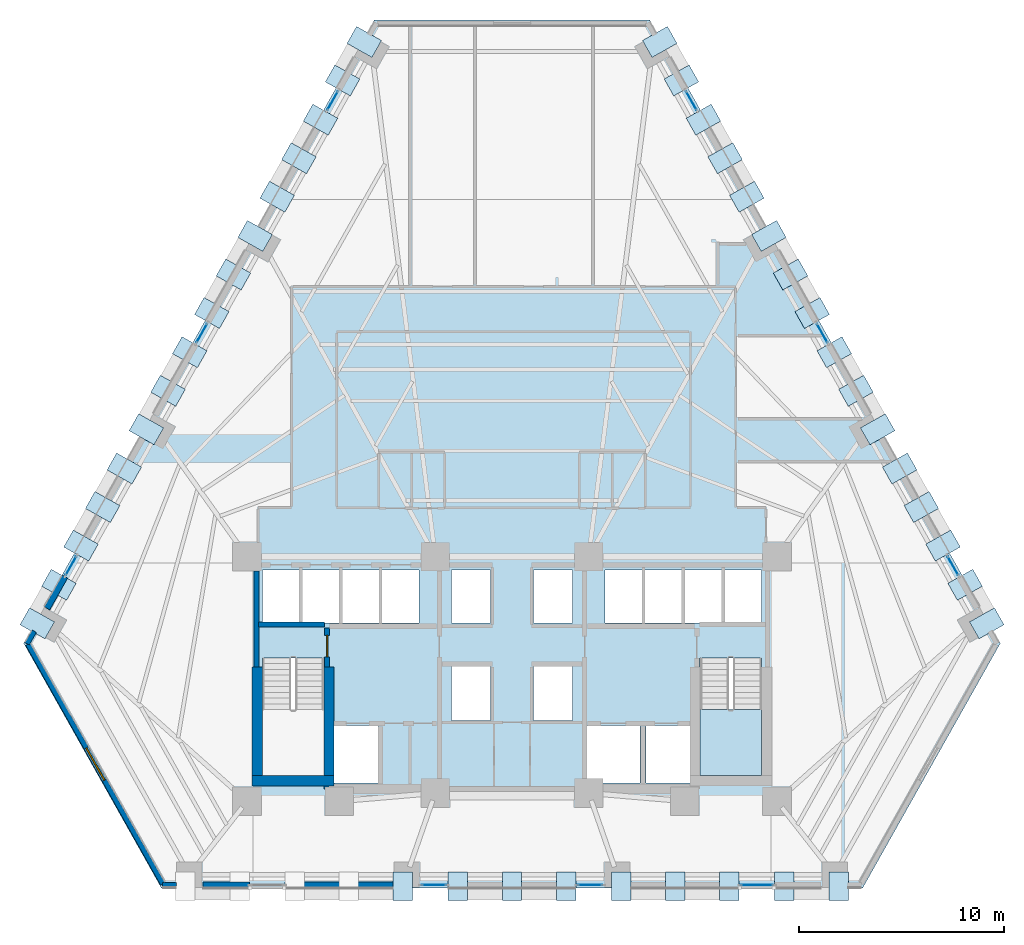
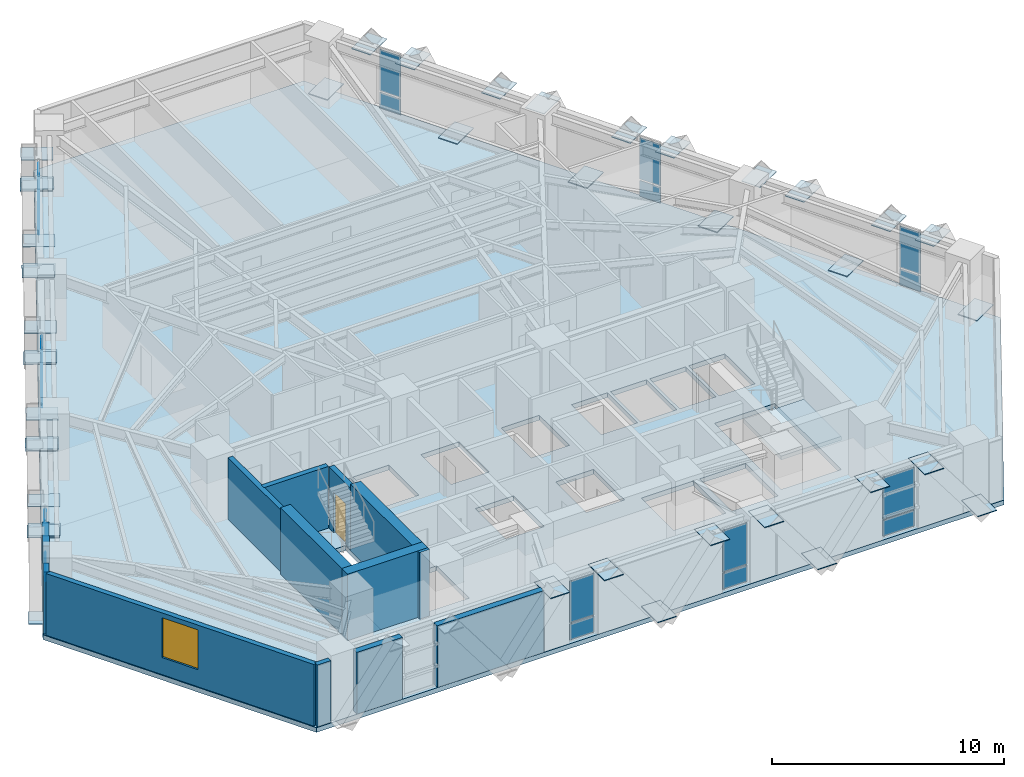
# One storey, part 6 of 13: 59 plates, 12 walls, 2 slabs, 1 door, 1 window, 2 openings, 10 elements without a shape of their own.
"""IFC4 building model written with IfcOpenShell, lengths in metres."""

import ifcopenshell
import ifcopenshell.guid

model = None  # the IFC model being written
_history = None  # IfcOwnerHistory: only IFC2X3 demands one
_inside = {}  # id of a spatial element -> (the spatial element, [elements in it])
_under = {}  # id of a project, library or spatial element -> (it, [spatial elements below it])
_declared = {}  # id of a project -> (the project, [libraries it declares])
_typed = {}  # id of a type object -> (the type object, [elements of that type])
_made_of = {}  # id of a material, layer set ... -> (it, [elements and type objects made of it])


def new_model(schema):
    """Start an empty IFC model of exactly this schema.

    Asked for "IFC4X3", IfcOpenShell would pick the latest addendum, in which some entities
    have other attributes; the version numbers below select the first issue.
    IFC2X3 requires an IfcOwnerHistory on every rooted entity: one is made here for all.
    """
    global model, _history
    if schema == "IFC4X3":
        model = ifcopenshell.file(schema_version=(4, 3, 0, 0))
    else:
        model = ifcopenshell.file(schema=schema)
    _inside.clear()
    _under.clear()
    _declared.clear()
    _typed.clear()
    _made_of.clear()
    _history = None
    if model.schema == "IFC2X3":
        org = make("IfcOrganization", Name="unknown")
        user = make(
            "IfcPersonAndOrganization",
            ThePerson=make("IfcPerson", FamilyName="unknown"),
            TheOrganization=org,
        )
        app = make(
            "IfcApplication",
            ApplicationDeveloper=org,
            Version="unknown",
            ApplicationFullName="unknown",
            ApplicationIdentifier="unknown",
        )
        _history = make(
            "IfcOwnerHistory",
            OwningUser=user,
            OwningApplication=app,
            ChangeAction="ADDED",
            CreationDate=0,
        )
    return model


def make(cls, **values):
    """One entity of the class cls with the attributes given. An attribute that is None is left unset."""
    return model.create_entity(
        cls, **{name: value for name, value in values.items() if value is not None}
    )


def rooted(cls, **values):
    """An entity with a GlobalId (a new one), such as an element, a storey or a relation."""
    return make(cls, GlobalId=ifcopenshell.guid.new(), OwnerHistory=_history, **values)


def si_unit(unit_type, name, prefix=None):
    """IfcSIUnit, for example si_unit("LENGTHUNIT", "METRE", prefix="MILLI")."""
    return make("IfcSIUnit", UnitType=unit_type, Prefix=prefix, Name=name)


def assignment(units):
    """IfcUnitAssignment: the units of a project."""
    return None if units is None else make("IfcUnitAssignment", Units=units)


def point(xyz):
    """IfcCartesianPoint."""
    return None if xyz is None else make("IfcCartesianPoint", Coordinates=xyz)


def direction(xyz):
    """IfcDirection."""
    return None if xyz is None else make("IfcDirection", DirectionRatios=xyz)


def frame(location, z_axis=None, x_axis=None):
    """IfcAxis2Placement3D, a coordinate frame: its origin and axes. An axis left out is left unset."""
    return make(
        "IfcAxis2Placement3D",
        Location=point(location),
        Axis=direction(z_axis),
        RefDirection=direction(x_axis),
    )


def frame_2d(location, x_axis=None):
    """IfcAxis2Placement2D, a coordinate frame in the plane: its origin and x axis."""
    return make(
        "IfcAxis2Placement2D", Location=point(location), RefDirection=direction(x_axis)
    )


def origin():
    """The frame at (0, 0, 0) with its axes left unset."""
    return frame((0.0, 0.0, 0.0))


def origin_2d():
    """The frame at (0, 0) in the plane with its x axis left unset."""
    return frame_2d((0.0, 0.0))


def place(relative_to, where):
    """IfcLocalPlacement: puts the frame where relative to a parent placement (None: the world)."""
    return make(
        "IfcLocalPlacement", PlacementRelTo=relative_to, RelativePlacement=where
    )


def context(
    kind, dimensions, precision=None, world=None, true_north=None, identifier=None
):
    """IfcGeometricRepresentationContext, for example the 3D "Model" context."""
    return make(
        "IfcGeometricRepresentationContext",
        ContextIdentifier=identifier,
        ContextType=kind,
        CoordinateSpaceDimension=dimensions,
        Precision=precision,
        WorldCoordinateSystem=world,
        TrueNorth=true_north,
    )


def subcontext(parent, identifier, kind, view, scale=None):
    """IfcGeometricRepresentationSubContext, for example "Body" below "Model"."""
    return make(
        "IfcGeometricRepresentationSubContext",
        ContextIdentifier=identifier,
        ContextType=kind,
        ParentContext=parent,
        TargetScale=scale,
        TargetView=view,
    )


def project(units=None, contexts=None):
    """IfcProject with its units and contexts."""
    return rooted(
        "IfcProject",
        Name="project",
        RepresentationContexts=contexts,
        UnitsInContext=assignment(units),
    )


def spatial(cls, under=None, at=None, **own):
    """A site, building, storey or space (cls), placed at a placement, below another one or the project."""
    s = rooted(cls, ObjectPlacement=at, **own)
    if under is not None:
        _under.setdefault(under.id(), (under, []))[1].append(s)
    return s


def polyline(points):
    """IfcPolyline through the points."""
    return make("IfcPolyline", Points=[point(p) for p in points])


def profile(cls, at=None, kind="AREA", **sizes):
    """A parametric profile (cls). Its sizes go by their IFC names, for example OverallWidth=200.0."""
    return make(cls, ProfileType=kind, Position=at, **sizes)


def rectangle(**sizes):
    """IfcRectangleProfileDef."""
    return profile("IfcRectangleProfileDef", **sizes)


def outline(outer, holes=None, kind="AREA"):
    """IfcArbitraryClosedProfileDef: a profile drawn as a closed curve; with holes, ...WithVoids."""
    if holes is None:
        return make("IfcArbitraryClosedProfileDef", ProfileType=kind, OuterCurve=outer)
    return make(
        "IfcArbitraryProfileDefWithVoids",
        ProfileType=kind,
        OuterCurve=outer,
        InnerCurves=holes,
    )


def extrude(swept, where, along, depth):
    """IfcExtrudedAreaSolid: the profile swept, set in the frame where, extruded along a direction by depth."""
    return make(
        "IfcExtrudedAreaSolid",
        SweptArea=swept,
        Position=where,
        ExtrudedDirection=direction(along),
        Depth=depth,
    )


def shape(context_of_items, identifier, shape_type, items):
    """IfcShapeRepresentation: the items that make up one representation, for example the "Body"."""
    return make(
        "IfcShapeRepresentation",
        ContextOfItems=context_of_items,
        RepresentationIdentifier=identifier,
        RepresentationType=shape_type,
        Items=items,
    )


def material(Name=None, Category=None):
    """IfcMaterial."""
    return make("IfcMaterial", Name=Name, Category=Category)


def layer(
    of_material, thickness, ventilated=None, Name=None, Category=None, Priority=None
):
    """IfcMaterialLayer: one layer of a wall or slab, of a material (None: an air gap)."""
    return make(
        "IfcMaterialLayer",
        Material=of_material,
        LayerThickness=thickness,
        IsVentilated=ventilated,
        Name=Name,
        Category=Category,
        Priority=Priority,
    )


def layer_set(layers, Name=None):
    """IfcMaterialLayerSet."""
    return make("IfcMaterialLayerSet", MaterialLayers=layers, LayerSetName=Name)


def made_of(thing, what):
    """Note that an element or type object is made of a material, layer set ...; save() writes the relation."""
    if what is not None:
        _made_of.setdefault(what.id(), (what, []))[1].append(thing)
    return thing


def type_object(cls, material=None, **own):
    """A type object (cls), such as IfcWallType, which elements share."""
    return made_of(rooted(cls, **own), material)


def element(
    cls,
    number,
    at=None,
    inside=None,
    cuts=None,
    type_object=None,
    material=None,
    context=None,
    identifier="Body",
    shape_type=None,
    held_by="IfcProductDefinitionShape",
    body=None,
    shapes=None,
    **own,
):
    """One element of the class cls, such as IfcWall. Its Tag is "e" and its number.

    at: its placement. inside: the storey or other place that contains it. cuts: it is an
    opening in that element (IfcRelVoidsElement). A single representation is given by context,
    identifier, shape_type and body (its items); several are given by shapes. held_by: the class
    of the entity that holds the representations. save() writes the other relations.
    """
    e = rooted(cls, Tag="e%d" % number, ObjectPlacement=at, **own)
    if body is not None:
        shapes = [shape(context, identifier, shape_type, body)]
    if shapes is not None:
        e.Representation = make(held_by, Representations=shapes)
    if inside is not None:
        _inside.setdefault(inside.id(), (inside, []))[1].append(e)
    if cuts is not None:
        rooted(
            "IfcRelVoidsElement", RelatingBuildingElement=cuts, RelatedOpeningElement=e
        )
    if type_object is not None:
        _typed.setdefault(type_object.id(), (type_object, []))[1].append(e)
    return made_of(e, material)


def fill(opening, filler):
    """IfcRelFillsElement: the door or window that sits in an opening."""
    return rooted(
        "IfcRelFillsElement",
        RelatingOpeningElement=opening,
        RelatedBuildingElement=filler,
    )


def aggregate(whole, parts):
    """IfcRelAggregates: a whole, such as a stair, and the parts it consists of."""
    return rooted("IfcRelAggregates", RelatingObject=whole, RelatedObjects=parts)


def save(model, path):
    """Write the relations noted so far, then the file.

    IfcRelAggregates (storeys below a building ...), IfcRelContainedInSpatialStructure (elements
    in a storey), IfcRelDefinesByType, IfcRelAssociatesMaterial and IfcRelDeclares: one each for
    every whole, place, type object, material and project.
    """
    for whole, parts in _under.values():
        aggregate(whole, parts)
    for where, things in _inside.values():
        rooted(
            "IfcRelContainedInSpatialStructure",
            RelatedElements=things,
            RelatingStructure=where,
        )
    for kind, things in _typed.values():
        rooted("IfcRelDefinesByType", RelatedObjects=things, RelatingType=kind)
    for what, things in _made_of.values():
        rooted("IfcRelAssociatesMaterial", RelatedObjects=things, RelatingMaterial=what)
    for by, libraries in _declared.values():
        rooted("IfcRelDeclares", RelatingContext=by, RelatedDefinitions=libraries)
    model.write(path)


model = new_model("IFC4")

# Units and contexts
model_context = context("Model", 3, precision=1e-05, world=origin(), true_north=direction((0.0, 1.0)))
body_context = subcontext(model_context, "Body", "Model", "MODEL_VIEW")
ifc_project = project(units=[si_unit("LENGTHUNIT", "METRE"), si_unit("AREAUNIT", "SQUARE_METRE"), si_unit("VOLUMEUNIT", "CUBIC_METRE"), si_unit("PLANEANGLEUNIT", "RADIAN"), si_unit("MASSUNIT", "GRAM", prefix="KILO")], contexts=[model_context])

# Site, building, storey
site_placement = place(None, origin())
site = spatial("IfcSite", under=ifc_project, at=site_placement, CompositionType="ELEMENT")
building_placement = place(site_placement, origin())
building = spatial("IfcBuilding", under=site, at=building_placement, Name="Quenlor Broadcast Tower", CompositionType="ELEMENT")
storey_placement = place(building_placement, frame((0.0, 0.0, 38.10009765625)))
storey = spatial("IfcBuildingStorey", under=building, at=storey_placement, Name="L09", CompositionType="ELEMENT", Elevation=38.10009765625)

# Curtain wall, plates
ifc_material_1 = material(Name="Architectural Terracotta and Low-E Glazing", Category="masonry")
curtain_wall_type = type_object("IfcCurtainWallType", Name="Unitised Terracotta Curtain Wall System Z1", PredefinedType="NOTDEFINED", material=ifc_material_1)
curtain_wall_1_placement = place(storey_placement, origin())
curtain_wall_1 = element("IfcCurtainWall", 1, at=curtain_wall_1_placement, inside=storey, type_object=curtain_wall_type, Name="L09 Curtain Wall CW1 (L09-SA-G1)", PredefinedType="NOTDEFINED")
ifc_material_2 = material(Name="Double Glazed Low-E Solar Glass", Category="glass")
ifc_layer_1 = layer(ifc_material_2, 0.031982421875)
ifc_layer_set_1 = layer_set([ifc_layer_1], Name="CW1 Double Glazed Vision Panel 32")
plate_type_1 = type_object("IfcPlateType", Name="CW1 Double Glazed Vision Panel 32", PredefinedType="CURTAIN_PANEL", material=ifc_layer_set_1)
plate_1_placement = place(storey_placement, frame((11.970703125, -20.840087890625, 0.079833984375), z_axis=(0.0, 0.0, 1.0), x_axis=(-1.0, 0.0, 0.0)))
plate_1 = element("IfcPlate", 2, at=plate_1_placement, type_object=plate_type_1, Name="CW1 panel 1.1", PredefinedType="CURTAIN_PANEL", context=body_context, shape_type="SweptSolid", body=[
    extrude(rectangle(XDim=1.568359375, YDim=0.031982421875, at=origin_2d()), origin(), (0.0, 0.0, 1.0), 0.830078125),
])
plate_2_placement = place(storey_placement, frame((11.970703125, -20.840087890625, 0.98974609375), z_axis=(0.0, 0.0, 1.0), x_axis=(-1.0, 0.0, 0.0)))
plate_2 = element("IfcPlate", 3, at=plate_2_placement, type_object=plate_type_1, Name="CW1 panel 1.2", PredefinedType="CURTAIN_PANEL", context=body_context, shape_type="SweptSolid", body=[
    extrude(rectangle(XDim=1.568359375, YDim=0.031982421875, at=origin_2d()), origin(), (0.0, 0.0, 1.0), 2.179931640625),
])
aggregate(curtain_wall_1, [plate_1, plate_2])

curtain_wall_2_placement = place(storey_placement, origin())
curtain_wall_2 = element("IfcCurtainWall", 4, at=curtain_wall_2_placement, inside=storey, type_object=curtain_wall_type, Name="L09 Curtain Wall CW1 (L09-S-G1)", PredefinedType="NOTDEFINED")
plate_3_placement = place(storey_placement, frame((3.81103515625, -20.840087890625, 0.079833984375), z_axis=(0.0, 0.0, 1.0), x_axis=(-1.0, 0.0, 0.0)))
plate_3 = element("IfcPlate", 5, at=plate_3_placement, type_object=plate_type_1, Name="CW1 panel 1.1", PredefinedType="CURTAIN_PANEL", context=body_context, shape_type="SweptSolid", body=[
    extrude(rectangle(XDim=1.209716796875, YDim=0.031982421875, at=origin_2d()), origin(), (0.0, 0.0, 1.0), 0.830078125),
])
plate_4_placement = place(storey_placement, frame((3.81103515625, -20.840087890625, 0.98974609375), z_axis=(0.0, 0.0, 1.0), x_axis=(-1.0, 0.0, 0.0)))
plate_4 = element("IfcPlate", 6, at=plate_4_placement, type_object=plate_type_1, Name="CW1 panel 1.2", PredefinedType="CURTAIN_PANEL", context=body_context, shape_type="SweptSolid", body=[
    extrude(rectangle(XDim=1.209716796875, YDim=0.031982421875, at=origin_2d()), origin(), (0.0, 0.0, 1.0), 2.179931640625),
])
aggregate(curtain_wall_2, [plate_3, plate_4])

curtain_wall_3_placement = place(storey_placement, origin())
curtain_wall_3 = element("IfcCurtainWall", 7, at=curtain_wall_3_placement, inside=storey, type_object=curtain_wall_type, Name="L09 Curtain Wall CW1 (L09-S-G2)", PredefinedType="NOTDEFINED")
plate_5_placement = place(storey_placement, frame((-3.81103515625, -20.840087890625, 0.079833984375), z_axis=(0.0, 0.0, 1.0), x_axis=(-1.0, 0.0, 0.0)))
plate_5 = element("IfcPlate", 8, at=plate_5_placement, type_object=plate_type_1, Name="CW1 panel 1.1", PredefinedType="CURTAIN_PANEL", context=body_context, shape_type="SweptSolid", body=[
    extrude(rectangle(XDim=1.209716796875, YDim=0.031982421875, at=origin_2d()), origin(), (0.0, 0.0, 1.0), 0.830078125),
])
plate_6_placement = place(storey_placement, frame((-3.81103515625, -20.840087890625, 0.98974609375), z_axis=(0.0, 0.0, 1.0), x_axis=(-1.0, 0.0, 0.0)))
plate_6 = element("IfcPlate", 9, at=plate_6_placement, type_object=plate_type_1, Name="CW1 panel 1.2", PredefinedType="CURTAIN_PANEL", context=body_context, shape_type="SweptSolid", body=[
    extrude(rectangle(XDim=1.209716796875, YDim=0.031982421875, at=origin_2d()), origin(), (0.0, 0.0, 1.0), 2.179931640625),
])
aggregate(curtain_wall_3, [plate_5, plate_6])

curtain_wall_4_placement = place(storey_placement, origin())
curtain_wall_4 = element("IfcCurtainWall", 10, at=curtain_wall_4_placement, inside=storey, type_object=curtain_wall_type, Name="L09 Curtain Wall CW1 (L09-NEA-G1)", PredefinedType="NOTDEFINED")
plate_7_placement = place(storey_placement, frame((8.766845703125, 17.48779296875, 0.079833984375), z_axis=(0.0, 0.0, 1.0), x_axis=(0.490276943553, -0.871566703483, 0.0)))
plate_7 = element("IfcPlate", 11, at=plate_7_placement, type_object=plate_type_1, Name="CW1 panel 1.1", PredefinedType="CURTAIN_PANEL", context=body_context, shape_type="SweptSolid", body=[
    extrude(rectangle(XDim=1.04931640625, YDim=0.031982421875, at=origin_2d()), origin(), (0.0, 0.0, 1.0), 0.830078125),
])
plate_8_placement = place(storey_placement, frame((8.766845703125, 17.48779296875, 0.98974609375), z_axis=(0.0, 0.0, 1.0), x_axis=(0.490276943553, -0.871566703483, 0.0)))
plate_8 = element("IfcPlate", 12, at=plate_8_placement, type_object=plate_type_1, Name="CW1 panel 1.2", PredefinedType="CURTAIN_PANEL", context=body_context, shape_type="SweptSolid", body=[
    extrude(rectangle(XDim=1.04931640625, YDim=0.031982421875, at=origin_2d()), origin(), (0.0, 0.0, 1.0), 2.179931640625),
])
aggregate(curtain_wall_4, [plate_7, plate_8])

curtain_wall_5_placement = place(storey_placement, origin())
curtain_wall_5 = element("IfcCurtainWall", 13, at=curtain_wall_5_placement, inside=storey, type_object=curtain_wall_type, Name="L09 Curtain Wall CW1 (L09-NEC-G1)", PredefinedType="NOTDEFINED")
plate_9_placement = place(storey_placement, frame((21.553955078125, -5.24462890625, 0.079833984375), z_axis=(0.0, 0.0, 1.0), x_axis=(0.490276943553, -0.871566703483, 0.0)))
plate_9 = element("IfcPlate", 14, at=plate_9_placement, type_object=plate_type_1, Name="CW1 panel 1.1", PredefinedType="CURTAIN_PANEL", context=body_context, shape_type="SweptSolid", body=[
    extrude(rectangle(XDim=1.04931640625, YDim=0.031982421875, at=origin_2d()), origin(), (0.0, 0.0, 1.0), 0.830078125),
])
plate_10_placement = place(storey_placement, frame((21.553955078125, -5.24462890625, 0.98974609375), z_axis=(0.0, 0.0, 1.0), x_axis=(0.490276943553, -0.871566703483, 0.0)))
plate_10 = element("IfcPlate", 15, at=plate_10_placement, type_object=plate_type_1, Name="CW1 panel 1.2", PredefinedType="CURTAIN_PANEL", context=body_context, shape_type="SweptSolid", body=[
    extrude(rectangle(XDim=1.04931640625, YDim=0.031982421875, at=origin_2d()), origin(), (0.0, 0.0, 1.0), 2.179931640625),
])
aggregate(curtain_wall_5, [plate_9, plate_10])

curtain_wall_6_placement = place(storey_placement, origin())
curtain_wall_6 = element("IfcCurtainWall", 16, at=curtain_wall_6_placement, inside=storey, type_object=curtain_wall_type, Name="L09 Curtain Wall CW1 (L09-NE-G1)", PredefinedType="NOTDEFINED")
plate_11_placement = place(storey_placement, frame((15.16064453125, 6.12158203125, 0.079833984375), z_axis=(0.0, 0.0, 1.0), x_axis=(0.490276943553, -0.871566703483, 0.0)))
plate_11 = element("IfcPlate", 17, at=plate_11_placement, type_object=plate_type_1, Name="CW1 panel 1.1", PredefinedType="CURTAIN_PANEL", context=body_context, shape_type="SweptSolid", body=[
    extrude(rectangle(XDim=1.04931640625, YDim=0.031982421875, at=origin_2d()), origin(), (0.0, 0.0, 1.0), 0.830078125),
])
plate_12_placement = place(storey_placement, frame((15.16064453125, 6.12158203125, 0.98974609375), z_axis=(0.0, 0.0, 1.0), x_axis=(0.490276943553, -0.871566703483, 0.0)))
plate_12 = element("IfcPlate", 18, at=plate_12_placement, type_object=plate_type_1, Name="CW1 panel 1.2", PredefinedType="CURTAIN_PANEL", context=body_context, shape_type="SweptSolid", body=[
    extrude(rectangle(XDim=1.04931640625, YDim=0.031982421875, at=origin_2d()), origin(), (0.0, 0.0, 1.0), 2.179931640625),
])
aggregate(curtain_wall_6, [plate_11, plate_12])

curtain_wall_7_placement = place(storey_placement, origin())
curtain_wall_7 = element("IfcCurtainWall", 19, at=curtain_wall_7_placement, inside=storey, type_object=curtain_wall_type, Name="L09 Curtain Wall CW1 (L09-NWA-G1)", PredefinedType="NOTDEFINED")
plate_13_placement = place(storey_placement, frame((-21.553955078125, -5.24462890625, 0.079833984375), z_axis=(0.0, 0.0, 1.0), x_axis=(0.490276943553, 0.871566703483, 0.0)))
plate_13 = element("IfcPlate", 20, at=plate_13_placement, type_object=plate_type_1, Name="CW1 panel 1.1", PredefinedType="CURTAIN_PANEL", context=body_context, shape_type="SweptSolid", body=[
    extrude(rectangle(XDim=1.04931640625, YDim=0.031982421875, at=origin_2d()), origin(), (0.0, 0.0, 1.0), 0.830078125),
])
plate_14_placement = place(storey_placement, frame((-21.553955078125, -5.24462890625, 0.98974609375), z_axis=(0.0, 0.0, 1.0), x_axis=(0.490276943553, 0.871566703483, 0.0)))
plate_14 = element("IfcPlate", 21, at=plate_14_placement, type_object=plate_type_1, Name="CW1 panel 1.2", PredefinedType="CURTAIN_PANEL", context=body_context, shape_type="SweptSolid", body=[
    extrude(rectangle(XDim=1.04931640625, YDim=0.031982421875, at=origin_2d()), origin(), (0.0, 0.0, 1.0), 2.179931640625),
])
aggregate(curtain_wall_7, [plate_13, plate_14])

curtain_wall_8_placement = place(storey_placement, origin())
curtain_wall_8 = element("IfcCurtainWall", 22, at=curtain_wall_8_placement, inside=storey, type_object=curtain_wall_type, Name="L09 Curtain Wall CW1 (L09-NWC-G1)", PredefinedType="NOTDEFINED")
plate_15_placement = place(storey_placement, frame((-8.766845703125, 17.48779296875, 0.079833984375), z_axis=(0.0, 0.0, 1.0), x_axis=(0.490276943553, 0.871566703483, 0.0)))
plate_15 = element("IfcPlate", 23, at=plate_15_placement, type_object=plate_type_1, Name="CW1 panel 1.1", PredefinedType="CURTAIN_PANEL", context=body_context, shape_type="SweptSolid", body=[
    extrude(rectangle(XDim=1.04931640625, YDim=0.031982421875, at=origin_2d()), origin(), (0.0, 0.0, 1.0), 0.830078125),
])
plate_16_placement = place(storey_placement, frame((-8.766845703125, 17.48779296875, 0.98974609375), z_axis=(0.0, 0.0, 1.0), x_axis=(0.490276943553, 0.871566703483, 0.0)))
plate_16 = element("IfcPlate", 24, at=plate_16_placement, type_object=plate_type_1, Name="CW1 panel 1.2", PredefinedType="CURTAIN_PANEL", context=body_context, shape_type="SweptSolid", body=[
    extrude(rectangle(XDim=1.04931640625, YDim=0.031982421875, at=origin_2d()), origin(), (0.0, 0.0, 1.0), 2.179931640625),
])
aggregate(curtain_wall_8, [plate_15, plate_16])

curtain_wall_9_placement = place(storey_placement, origin())
curtain_wall_9 = element("IfcCurtainWall", 25, at=curtain_wall_9_placement, inside=storey, type_object=curtain_wall_type, Name="L09 Curtain Wall CW1 (L09-NW-G1)", PredefinedType="NOTDEFINED")
plate_17_placement = place(storey_placement, frame((-15.16064453125, 6.12158203125, 0.079833984375), z_axis=(0.0, 0.0, 1.0), x_axis=(0.490276943553, 0.871566703483, 0.0)))
plate_17 = element("IfcPlate", 26, at=plate_17_placement, type_object=plate_type_1, Name="CW1 panel 1.1", PredefinedType="CURTAIN_PANEL", context=body_context, shape_type="SweptSolid", body=[
    extrude(rectangle(XDim=1.04931640625, YDim=0.031982421875, at=origin_2d()), origin(), (0.0, 0.0, 1.0), 0.830078125),
])
plate_18_placement = place(storey_placement, frame((-15.16064453125, 6.12158203125, 0.98974609375), z_axis=(0.0, 0.0, 1.0), x_axis=(0.490276943553, 0.871566703483, 0.0)))
plate_18 = element("IfcPlate", 27, at=plate_18_placement, type_object=plate_type_1, Name="CW1 panel 1.2", PredefinedType="CURTAIN_PANEL", context=body_context, shape_type="SweptSolid", body=[
    extrude(rectangle(XDim=1.04931640625, YDim=0.031982421875, at=origin_2d()), origin(), (0.0, 0.0, 1.0), 2.179931640625),
])
aggregate(curtain_wall_9, [plate_17, plate_18])

# Stair, slab
ifc_material_3 = material(Name="Precast concrete C40/50", Category="concrete")
stair_type = type_object("IfcStairType", Name="Precast Concrete C40/50 Dogleg Stair H350", PredefinedType="HALF_TURN_STAIR", material=ifc_material_3)
stair_placement = place(storey_placement, origin())
stair = element("IfcStair", 28, at=stair_placement, inside=storey, type_object=stair_type, Name="L09 East Core Fire-Isolated Exit Stair ST-2", PredefinedType="HALF_TURN_STAIR")
ifc_material_4 = material(Name="Precast concrete C40/50", Category="concrete")
ifc_layer_2 = layer(ifc_material_4, 0.199951171875)
ifc_layer_set_2 = layer_set([ifc_layer_2], Name="Precast Concrete C40/50 Stair Landing Slab 200")
slab_type_1 = type_object("IfcSlabType", Name="Precast Concrete C40/50 Stair Landing Slab 200", PredefinedType="LANDING", material=ifc_layer_set_2)
slab_1_placement = place(storey_placement, frame((0.0, 0.0, 1.5498046875)))
slab_1 = element("IfcSlab", 29, at=slab_1_placement, type_object=slab_type_1, Name="ST-2 landing 1", PredefinedType="LANDING", context=body_context, shape_type="SweptSolid", body=[
    extrude(outline(polyline([(9.199951171875, -12.27001953125), (9.199951171875, -15.5), (12.199951171875, -15.5), (12.199951171875, -12.27001953125), (9.199951171875, -12.27001953125)])), origin(), (0.0, 0.0, 1.0), 0.2001953125),
])
aggregate(stair, [slab_1])

# Slab
ifc_material_5 = material(Name="Concrete C40/50", Category="concrete")
ifc_layer_3 = layer(ifc_material_5, 0.25)
ifc_layer_set_3 = layer_set([ifc_layer_3], Name="Tower Composite Concrete C40/50 Slab 250")
slab_type_2 = type_object("IfcSlabType", Name="Tower Composite Concrete C40/50 Slab 250", PredefinedType="FLOOR", material=ifc_layer_set_3)
slab_2_placement = place(storey_placement, frame((0.0, 0.0, -0.25)))
element("IfcSlab", 30, at=slab_2_placement, inside=storey, type_object=slab_type_2, Name="L09 Structural Floor Slab", PredefinedType="FLOOR", context=body_context, shape_type="SweptSolid", body=[
    extrude(outline(polyline([(17.135986328125, -21.0), (23.867919921875, -9.031982421875), (6.73193359375, 21.431884765625), (-6.73193359375, 21.431884765625), (-23.867919921875, -9.031982421875), (-17.135986328125, -21.0), (17.135986328125, -21.0)]), holes=[polyline([(-12.199951171875, -9.758056640625), (-12.199951171875, -15.5), (-9.199951171875, -15.5), (-9.199951171875, -9.758056640625), (-12.199951171875, -9.758056640625)]), polyline([(9.199951171875, -9.758056640625), (9.199951171875, -15.5), (12.199951171875, -15.5), (12.199951171875, -9.758056640625), (9.199951171875, -9.758056640625)]), polyline([(-12.199951171875, -8.050048828125), (-10.39990234375, -8.050048828125), (-10.39990234375, -5.449951171875), (-12.199951171875, -5.449951171875), (-12.199951171875, -8.050048828125)]), polyline([(-10.25, -8.050048828125), (-8.449951171875, -8.050048828125), (-8.449951171875, -5.449951171875), (-10.25, -5.449951171875), (-10.25, -8.050048828125)]), polyline([(-8.300048828125, -8.050048828125), (-6.5, -8.050048828125), (-6.5, -5.449951171875), (-8.300048828125, -5.449951171875), (-8.300048828125, -8.050048828125)]), polyline([(-6.35009765625, -8.050048828125), (-4.550048828125, -8.050048828125), (-4.550048828125, -5.449951171875), (-6.35009765625, -5.449951171875), (-6.35009765625, -8.050048828125)]), polyline([(-2.949951171875, -8.050048828125), (-1.050048828125, -8.050048828125), (-1.050048828125, -5.449951171875), (-2.949951171875, -5.449951171875), (-2.949951171875, -8.050048828125)]), polyline([(1.050048828125, -8.050048828125), (2.949951171875, -8.050048828125), (2.949951171875, -5.449951171875), (1.050048828125, -5.449951171875), (1.050048828125, -8.050048828125)]), polyline([(-2.949951171875, -12.800048828125), (-1.050048828125, -12.800048828125), (-1.050048828125, -10.14990234375), (-2.949951171875, -10.14990234375), (-2.949951171875, -12.800048828125)]), polyline([(1.050048828125, -12.800048828125), (2.949951171875, -12.800048828125), (2.949951171875, -10.14990234375), (1.050048828125, -10.14990234375), (1.050048828125, -12.800048828125)]), polyline([(4.550048828125, -8.050048828125), (6.35009765625, -8.050048828125), (6.35009765625, -5.449951171875), (4.550048828125, -5.449951171875), (4.550048828125, -8.050048828125)]), polyline([(6.5, -8.050048828125), (8.300048828125, -8.050048828125), (8.300048828125, -5.449951171875), (6.5, -5.449951171875), (6.5, -8.050048828125)]), polyline([(8.449951171875, -8.050048828125), (10.25, -8.050048828125), (10.25, -5.449951171875), (8.449951171875, -5.449951171875), (8.449951171875, -8.050048828125)]), polyline([(10.39990234375, -8.050048828125), (12.199951171875, -8.050048828125), (12.199951171875, -5.449951171875), (10.39990234375, -5.449951171875), (10.39990234375, -8.050048828125)]), polyline([(-8.85009765625, -15.85009765625), (-6.550048828125, -15.85009765625), (-6.550048828125, -13.050048828125), (-8.85009765625, -13.050048828125), (-8.85009765625, -15.85009765625)]), polyline([(6.550048828125, -15.85009765625), (8.85009765625, -15.85009765625), (8.85009765625, -13.050048828125), (6.550048828125, -13.050048828125), (6.550048828125, -15.85009765625)]), polyline([(3.64990234375, -15.85009765625), (6.25, -15.85009765625), (6.25, -13.050048828125), (3.64990234375, -13.050048828125), (3.64990234375, -15.85009765625)])]), origin(), (0.0, 0.0, 1.0), 0.25),
])

# Plates
ifc_material_6 = material(Name="Steel S355", Category="steel")
ifc_layer_4 = layer(ifc_material_6, 0.035888671875)
ifc_layer_set_4 = layer_set([ifc_layer_4], Name="Transfer Truss Steel S355 Gusset Node Plate 1400x950x36")
plate_type_2 = type_object("IfcPlateType", Name="Transfer Truss Steel S355 Gusset Node Plate 1400x950x36", PredefinedType="SHEET", material=ifc_layer_set_4)
for number, where, z_axis, x_axis, name in (
    (31, (15.9609375, -20.89990234375, 0.0419921875), (0.0, 0.0, 1.0), (0.0, -1.0, 0.0), "L09 Lattice Tie Gusset Node S-B0"),
    (32, (13.31689453125, -20.89990234375, 3.18212890625), (0.0, 0.0, 1.0), (0.0, -1.0, 0.0), "L09 Lattice Tie Gusset Node S-T1"),
    (33, (7.98046875, -20.89990234375, 0.0419921875), (0.0, 0.0, 1.0), (0.0, -1.0, 0.0), "L09 Lattice Tie Gusset Node S-B3"),
    (34, (10.624755859375, -20.89990234375, 3.18212890625), (0.0, 0.0, 1.0), (0.0, -1.0, 0.0), "L09 Lattice Tie Gusset Node S-T2"),
    (35, (5.336181640625, -20.89990234375, 3.18212890625), (0.0, 0.0, 1.0), (0.0, -1.0, 0.0), "L09 Lattice Tie Gusset Node S-T4"),
    (36, (0.0, -20.89990234375, 0.0419921875), (0.0, 0.0, 1.0), (0.0, -1.0, 0.0), "L09 Lattice Tie Gusset Node S-B6"),
    (37, (2.644287109375, -20.89990234375, 3.18212890625), (0.0, 0.0, 1.0), (0.0, -1.0, 0.0), "L09 Lattice Tie Gusset Node S-T5"),
    (38, (-2.644287109375, -20.89990234375, 3.18212890625), (0.0, 0.0, 1.0), (0.0, -1.0, 0.0), "L09 Lattice Tie Gusset Node S-T7"),
    (39, (-5.336181640625, -20.89990234375, 3.18212890625), (0.0, 0.0, 1.0), (0.0, -1.0, 0.0), "L09 Lattice Tie Gusset Node S-T8"),
    (40, (7.220947265625, 20.35888671875, 0.0419921875), (0.0, 0.0, 1.0), (0.871556314255, 0.490295412055, 0.0), "L09 Lattice Tie Gusset Node NE-B0"),
    (41, (8.280029296875, 18.475830078125, 3.18212890625), (0.0, 0.0, 1.0), (0.871556314255, 0.490295412055, 0.0), "L09 Lattice Tie Gusset Node NE-T1"),
    (42, (10.41748046875, 14.67578125, 0.0419921875), (0.0, 0.0, 1.0), (0.871556314255, 0.490295412055, 0.0), "L09 Lattice Tie Gusset Node NE-B3"),
    (43, (9.3583984375, 16.558837890625, 3.18212890625), (0.0, 0.0, 1.0), (0.871556314255, 0.490295412055, 0.0), "L09 Lattice Tie Gusset Node NE-T2"),
    (44, (11.476806640625, 12.792724609375, 3.18212890625), (0.0, 0.0, 1.0), (0.871556314255, 0.490295412055, 0.0), "L09 Lattice Tie Gusset Node NE-T4"),
    (45, (13.614501953125, 8.99267578125, 0.0419921875), (0.0, 0.0, 1.0), (0.871556314255, 0.490295412055, 0.0), "L09 Lattice Tie Gusset Node NE-B6"),
    (46, (12.55517578125, 10.87548828125, 3.18212890625), (0.0, 0.0, 1.0), (0.871556314255, 0.490295412055, 0.0), "L09 Lattice Tie Gusset Node NE-T5"),
    (47, (14.673583984375, 7.109619140625, 3.18212890625), (0.0, 0.0, 1.0), (0.871556314255, 0.490295412055, 0.0), "L09 Lattice Tie Gusset Node NE-T7"),
    (48, (16.811279296875, 3.309326171875, 0.0419921875), (0.0, 0.0, 1.0), (0.871556314255, 0.490295412055, 0.0), "L09 Lattice Tie Gusset Node NE-B9"),
    (49, (15.751953125, 5.1923828125, 3.18212890625), (0.0, 0.0, 1.0), (0.871556314255, 0.490295412055, 0.0), "L09 Lattice Tie Gusset Node NE-T8"),
    (50, (17.870361328125, 1.426513671875, 3.18212890625), (0.0, 0.0, 1.0), (0.871556314255, 0.490295412055, 0.0), "L09 Lattice Tie Gusset Node NE-T10"),
    (51, (20.008056640625, -2.373779296875, 0.0419921875), (0.0, 0.0, 1.0), (0.871556314255, 0.490295412055, 0.0), "L09 Lattice Tie Gusset Node NE-B12"),
    (52, (18.94873046875, -0.49072265625, 3.18212890625), (0.0, 0.0, 1.0), (0.871556314255, 0.490295412055, 0.0), "L09 Lattice Tie Gusset Node NE-T11"),
    (53, (21.067138671875, -4.256591796875, 3.18212890625), (0.0, 0.0, 1.0), (0.871556314255, 0.490295412055, 0.0), "L09 Lattice Tie Gusset Node NE-T13"),
    (54, (23.20458984375, -8.056884765625, 0.0419921875), (0.0, 0.0, 1.0), (0.871556314255, 0.490295412055, 0.0), "L09 Lattice Tie Gusset Node NE-B15"),
    (55, (22.1455078125, -6.173828125, 3.18212890625), (0.0, 0.0, 1.0), (0.871556314255, 0.490295412055, 0.0), "L09 Lattice Tie Gusset Node NE-T14"),
    (56, (-23.20458984375, -8.056884765625, 0.0419921875), (0.0, 0.0, 1.0), (-0.871556314255, 0.490295412055, 0.0), "L09 Lattice Tie Gusset Node NW-B0"),
    (57, (-22.1455078125, -6.173828125, 3.18212890625), (0.0, 0.0, 1.0), (-0.871556314255, 0.490295412055, 0.0), "L09 Lattice Tie Gusset Node NW-T1"),
    (58, (-20.008056640625, -2.373779296875, 0.0419921875), (0.0, 0.0, 1.0), (-0.871556314255, 0.490295412055, 0.0), "L09 Lattice Tie Gusset Node NW-B3"),
    (59, (-21.067138671875, -4.256591796875, 3.18212890625), (0.0, 0.0, 1.0), (-0.871556314255, 0.490295412055, 0.0), "L09 Lattice Tie Gusset Node NW-T2"),
    (60, (-18.94873046875, -0.49072265625, 3.18212890625), (0.0, 0.0, 1.0), (-0.871556314255, 0.490295412055, 0.0), "L09 Lattice Tie Gusset Node NW-T4"),
    (61, (-16.811279296875, 3.309326171875, 0.0419921875), (0.0, 0.0, 1.0), (-0.871556314255, 0.490295412055, 0.0), "L09 Lattice Tie Gusset Node NW-B6"),
    (62, (-17.870361328125, 1.426513671875, 3.18212890625), (0.0, 0.0, 1.0), (-0.871556314255, 0.490295412055, 0.0), "L09 Lattice Tie Gusset Node NW-T5"),
    (63, (-15.751953125, 5.1923828125, 3.18212890625), (0.0, 0.0, 1.0), (-0.871556314255, 0.490295412055, 0.0), "L09 Lattice Tie Gusset Node NW-T7"),
    (64, (-13.614501953125, 8.99267578125, 0.0419921875), (0.0, 0.0, 1.0), (-0.871556314255, 0.490295412055, 0.0), "L09 Lattice Tie Gusset Node NW-B9"),
    (65, (-14.673583984375, 7.109619140625, 3.18212890625), (0.0, 0.0, 1.0), (-0.871556314255, 0.490295412055, 0.0), "L09 Lattice Tie Gusset Node NW-T8"),
    (66, (-12.55517578125, 10.87548828125, 3.18212890625), (0.0, 0.0, 1.0), (-0.871556314255, 0.490295412055, 0.0), "L09 Lattice Tie Gusset Node NW-T10"),
    (67, (-10.41748046875, 14.67578125, 0.0419921875), (0.0, 0.0, 1.0), (-0.871556314255, 0.490295412055, 0.0), "L09 Lattice Tie Gusset Node NW-B12"),
    (68, (-11.476806640625, 12.792724609375, 3.18212890625), (0.0, 0.0, 1.0), (-0.871556314255, 0.490295412055, 0.0), "L09 Lattice Tie Gusset Node NW-T11"),
    (69, (-9.3583984375, 16.558837890625, 3.18212890625), (0.0, 0.0, 1.0), (-0.871556314255, 0.490295412055, 0.0), "L09 Lattice Tie Gusset Node NW-T13"),
    (70, (-7.220947265625, 20.35888671875, 0.0419921875), (0.0, 0.0, 1.0), (-0.871556314255, 0.490295412055, 0.0), "L09 Lattice Tie Gusset Node NW-B15"),
    (71, (-8.280029296875, 18.475830078125, 3.18212890625), (0.0, 0.0, 1.0), (-0.871556314255, 0.490295412055, 0.0), "L09 Lattice Tie Gusset Node NW-T14"),
):
    element("IfcPlate", number, at=place(storey_placement, frame(where, z_axis=z_axis, x_axis=x_axis)), inside=storey, type_object=plate_type_2, Name=name, PredefinedType="SHEET", context=body_context, shape_type="SweptSolid", body=[
        extrude(rectangle(XDim=1.39990234375, YDim=0.949951171875, at=origin_2d()), origin(), (0.0, 0.0, 1.0), 0.035888671875),
    ])

# Walls
ifc_material_7 = material(Name="Concrete C65/80", Category="concrete")
ifc_layer_5 = layer(ifc_material_7, 0.5)
ifc_layer_set_5 = layer_set([ifc_layer_5], Name="Core Concrete C65/80 Shear Wall 500")
wall_type_1 = type_object("IfcWallType", Name="Core Concrete C65/80 Shear Wall 500", PredefinedType="SHEAR", material=ifc_layer_set_5)
wall_1_placement = place(storey_placement, frame((-12.699951171875, -15.75, 0.0), z_axis=(0.0, 0.0, 1.0), x_axis=(1.0, 0.0, 0.0)))
element("IfcWall", 72, at=wall_1_placement, inside=storey, type_object=wall_type_1, Name="L09 Core Shear Wall WS-W1", PredefinedType="SHEAR", context=body_context, shape_type="SweptSolid", body=[
    extrude(rectangle(XDim=4.0, YDim=0.5, at=frame_2d((2.0, 0.0))), origin(), (0.0, 0.0, 1.0), 3.5),
])
wall_2_placement = place(storey_placement, frame((-12.449951171875, -15.75, 0.0), z_axis=(0.0, 0.0, 1.0), x_axis=(0.0, 1.0, 0.0)))
element("IfcWall", 73, at=wall_2_placement, inside=storey, type_object=wall_type_1, Name="L09 Core Shear Wall WF-W", PredefinedType="SHEAR", context=body_context, shape_type="SweptSolid", body=[
    extrude(rectangle(XDim=5.550048828125, YDim=0.5, at=frame_2d((2.77490234375, 0.0))), origin(), (0.0, 0.0, 1.0), 3.5),
])
wall_3_placement = place(storey_placement, frame((-8.949951171875, -16.14990234375, 0.0), z_axis=(0.0, 0.0, 1.0), x_axis=(0.0, 1.0, 0.0)))
element("IfcWall", 74, at=wall_3_placement, inside=storey, type_object=wall_type_1, Name="L09 Core Shear Wall WI-W", PredefinedType="SHEAR", context=body_context, shape_type="SweptSolid", body=[
    extrude(rectangle(XDim=5.949951171875, YDim=0.5, at=frame_2d((2.97509765625, 0.0))), origin(), (0.0, 0.0, 1.0), 3.5),
])

# Wall, opening, door
ifc_material_8 = material(Name="Concrete C40/50", Category="concrete")
ifc_layer_6 = layer(ifc_material_8, 0.25)
ifc_layer_set_6 = layer_set([ifc_layer_6], Name="Fire Rated Concrete C40/50 Core Wall 250")
wall_type_2 = type_object("IfcWallType", Name="Fire Rated Concrete C40/50 Core Wall 250", PredefinedType="PARTITIONING", material=ifc_layer_set_6)
wall_4_placement = place(storey_placement, frame((-9.0400390625, -10.179931640625, 0.0), z_axis=(0.0, 0.0, 1.0), x_axis=(0.0, 1.0, 0.0)))
wall_4 = element("IfcWall", 75, at=wall_4_placement, inside=storey, type_object=wall_type_2, Name="L09 Interior Wall CW-ST1-DR", PredefinedType="PARTITIONING", context=body_context, shape_type="SweptSolid", body=[
    extrude(rectangle(XDim=1.89990234375, YDim=0.25, at=frame_2d((0.949951171875, 0.0))), origin(), (0.0, 0.0, 1.0), 3.25),
])
opening_1_placement = place(wall_4_placement, frame((0.47998046875, 0.0, 0.0)))
opening_1 = element("IfcOpeningElement", 76, at=opening_1_placement, cuts=wall_4, Name="Opening FD-1", PredefinedType="OPENING", context=body_context, shape_type="SweptSolid", body=[
    extrude(rectangle(XDim=1.050048828125, YDim=2.14990234375, at=frame_2d((0.52490234375, 1.074951171875))), frame((0.0, 0.135009765625, 0.0), z_axis=(0.0, -1.0, 0.0), x_axis=(1.0, 0.0, 0.0)), (0.0, 0.0, 1.0), 0.27001953125),
])
ifc_material_9 = material(Name="Fire Rated Steel Door Leaf", Category="steel")
door_type = type_object("IfcDoorType", Name="Fire Isolated Stair Door 1050x2150", OperationType="NOTDEFINED", PredefinedType="DOOR", material=ifc_material_9)
door_placement = place(opening_1_placement, origin())
door = element("IfcDoor", 77, at=door_placement, inside=storey, type_object=door_type, Name="L09 Door DR-ST1", OperationType="SINGLE_SWING_LEFT", OverallHeight=2.14990234375, OverallWidth=1.050048828125, PredefinedType="DOOR", context=body_context, shape_type="SweptSolid", body=[
    extrude(rectangle(XDim=1.050048828125, YDim=2.14990234375, at=frame_2d((0.52490234375, 1.074951171875))), frame((0.0, 0.02490234375, 0.0), z_axis=(0.0, -1.0, 0.0), x_axis=(1.0, 0.0, 0.0)), (0.0, 0.0, 1.0), 0.050048828125),
])
fill(opening_1, door)

# Walls
wall_5_placement = place(storey_placement, frame((-12.3798828125, -8.1201171875, 0.0), z_axis=(0.0, 0.0, 1.0), x_axis=(1.0, 0.0, 0.0)))
element("IfcWall", 78, at=wall_5_placement, inside=storey, type_object=wall_type_2, Name="L09 Interior Wall CW-ST1-N", PredefinedType="PARTITIONING", context=body_context, shape_type="SweptSolid", body=[
    extrude(rectangle(XDim=3.219970703125, YDim=0.25, at=frame_2d((1.60986328125, 0.0))), origin(), (0.0, 0.0, 1.0), 3.25),
])
wall_6_placement = place(storey_placement, frame((-12.47998046875, -10.179931640625, 0.0), z_axis=(0.0, 0.0, 1.0), x_axis=(0.0, 1.0, 0.0)))
element("IfcWall", 79, at=wall_6_placement, inside=storey, type_object=wall_type_2, Name="L09 Interior Wall CW-ST1-W2", PredefinedType="PARTITIONING", context=body_context, shape_type="SweptSolid", body=[
    extrude(rectangle(XDim=4.677978515625, YDim=0.25, at=frame_2d((2.3388671875, 0.0))), origin(), (0.0, 0.0, 1.0), 3.25),
])
ifc_material_10 = material(Name="Precast concrete C40/50", Category="concrete")
ifc_layer_7 = layer(ifc_material_10, 0.239990234375)
ifc_layer_set_7 = layer_set([ifc_layer_7], Name="Terrace Threshold Precast Concrete C40/50 Wall 240")
wall_type_3 = type_object("IfcWallType", Name="Terrace Threshold Precast Concrete C40/50 Wall 240", PredefinedType="STANDARD", material=ifc_layer_set_7)
wall_7_placement = place(storey_placement, frame((-16.39501953125, -20.840087890625, 0.0), z_axis=(0.0, 0.0, 1.0), x_axis=(-1.0, 0.0, 0.0)))
element("IfcWall", 80, at=wall_7_placement, inside=storey, type_object=wall_type_3, Name="L09 Exterior Wall L09-SHD-SS1", PredefinedType="STANDARD", context=body_context, shape_type="SweptSolid", body=[
    extrude(rectangle(XDim=0.680908203125, YDim=0.239990234375, at=frame_2d((0.34033203125, 0.0))), origin(), (0.0, 0.0, 1.0), 3.25),
])
wall_8_placement = place(storey_placement, frame((-23.69921875, -9.05810546875, 0.0), z_axis=(0.0, 0.0, 1.0), x_axis=(0.490523074758, 0.871428203084, 0.0)))
element("IfcWall", 81, at=wall_8_placement, inside=storey, type_object=wall_type_3, Name="L09 Exterior Wall L09-SHD-NWS0", PredefinedType="STANDARD", context=body_context, shape_type="SweptSolid", body=[
    extrude(rectangle(XDim=0.708251953125, YDim=0.239990234375, at=frame_2d((0.35400390625, 0.0))), origin(), (0.0, 0.0, 1.0), 3.25),
])

# Wall, opening, window
wall_9_placement = place(storey_placement, frame((-23.659912109375, -9.07568359375, 0.0), z_axis=(0.0, 0.0, 1.0), x_axis=(0.490268135177, -0.871571658345, 0.0)))
wall_9 = element("IfcWall", 82, at=wall_9_placement, inside=storey, type_object=wall_type_3, Name="L09 Exterior Wall L09-CNR-04", PredefinedType="STANDARD", context=body_context, shape_type="SweptSolid", body=[
    extrude(rectangle(XDim=13.44775390625, YDim=0.239990234375, at=frame_2d((6.723876953125, 0.0))), origin(), (0.0, 0.0, 1.0), 3.25),
])
opening_2_placement = place(wall_9_placement, frame((5.823974609375, 0.0, 0.89990234375)))
opening_2 = element("IfcOpeningElement", 83, at=opening_2_placement, cuts=wall_9, Name="Opening WN-1", PredefinedType="OPENING", context=body_context, shape_type="SweptSolid", body=[
    extrude(rectangle(XDim=1.800048828125, YDim=2.10009765625, at=frame_2d((0.89990234375, 1.050048828125))), frame((0.0, 0.1298828125, 0.0), z_axis=(0.0, -1.0, 0.0), x_axis=(1.0, 0.0, 0.0)), (0.0, 0.0, 1.0), 0.260009765625),
])
ifc_material_11 = material(Name="Thermally Broken Aluminium and Low-E Glass", Category="aluminium")
window_type = type_object("IfcWindowType", Name="Tower Acoustic Vision Window 1800x2100", PartitioningType="SINGLE_PANEL", PredefinedType="WINDOW", material=ifc_material_11)
window_placement = place(opening_2_placement, origin())
window = element("IfcWindow", 84, at=window_placement, inside=storey, type_object=window_type, Name="L09 Corner Chamfer Window 4", OverallHeight=2.10009765625, OverallWidth=1.800048828125, PartitioningType="SINGLE_PANEL", PredefinedType="WINDOW", context=body_context, shape_type="SweptSolid", body=[
    extrude(rectangle(XDim=1.800048828125, YDim=2.10009765625, at=frame_2d((0.89990234375, 1.050048828125))), frame((0.0, 0.030029296875, 0.0), z_axis=(0.0, -1.0, 0.0), x_axis=(1.0, 0.0, 0.0)), (0.0, 0.0, 1.0), 0.06005859375),
])
fill(opening_2, window)

# Walls
ifc_material_12 = material(Name="Precast concrete C40/50", Category="concrete")
ifc_layer_8 = layer(ifc_material_12, 0.300048828125)
ifc_layer_set_8 = layer_set([ifc_layer_8], Name="Terracotta Precast Concrete C40/50 Spandrel Wall 300")
wall_type_4 = type_object("IfcWallType", Name="Terracotta Precast Concrete C40/50 Spandrel Wall 300", PredefinedType="STANDARD", material=ifc_layer_set_8)
wall_10_placement = place(storey_placement, frame((-5.790771484375, -20.840087890625, 0.0), z_axis=(0.0, 0.0, 1.0), x_axis=(-1.0, 0.0, 0.0)))
element("IfcWall", 85, at=wall_10_placement, inside=storey, type_object=wall_type_4, Name="L09 Exterior Wall L09-SC-SP1", PredefinedType="STANDARD", context=body_context, shape_type="SweptSolid", body=[
    extrude(rectangle(XDim=5.31591796875, YDim=0.300048828125, at=frame_2d((2.657958984375, 0.0))), origin(), (0.0, 0.0, 1.0), 3.25),
])
wall_11_placement = place(storey_placement, frame((-12.8349609375, -20.840087890625, 0.0), z_axis=(0.0, 0.0, 1.0), x_axis=(-1.0, 0.0, 0.0)))
element("IfcWall", 86, at=wall_11_placement, inside=storey, type_object=wall_type_4, Name="L09 Exterior Wall L09-SC-SP2", PredefinedType="STANDARD", context=body_context, shape_type="SweptSolid", body=[
    extrude(rectangle(XDim=2.280029296875, YDim=0.300048828125, at=frame_2d((1.14013671875, 0.0))), origin(), (0.0, 0.0, 1.0), 3.25),
])
wall_12_placement = place(storey_placement, frame((-22.724365234375, -7.3251953125, 0.0), z_axis=(0.0, 0.0, 1.0), x_axis=(0.490241729391, 0.871586511348, 0.0)))
element("IfcWall", 87, at=wall_12_placement, inside=storey, type_object=wall_type_4, Name="L09 Exterior Wall L09-NWA-SP1", PredefinedType="STANDARD", context=body_context, shape_type="SweptSolid", body=[
    extrude(rectangle(XDim=1.7822265625, YDim=0.300048828125, at=frame_2d((0.89111328125, 0.0))), origin(), (0.0, 0.0, 1.0), 3.25),
])

save(model, "model.ifc")
